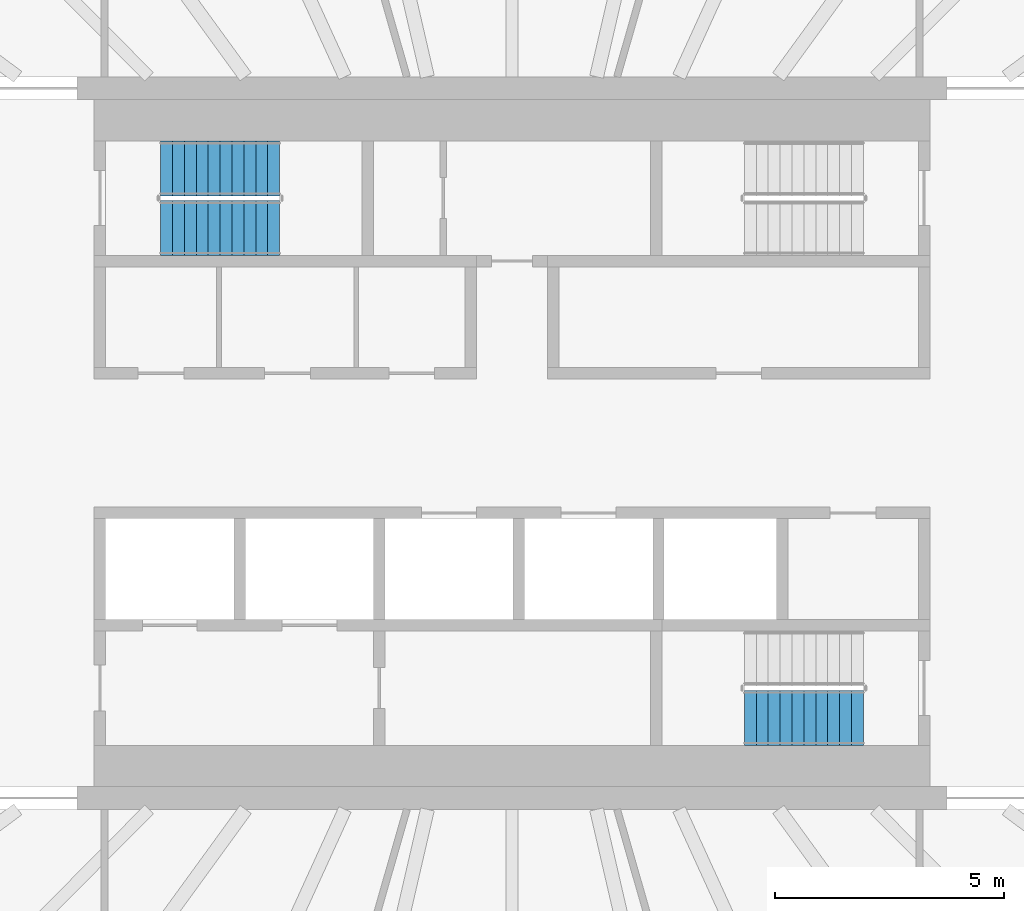
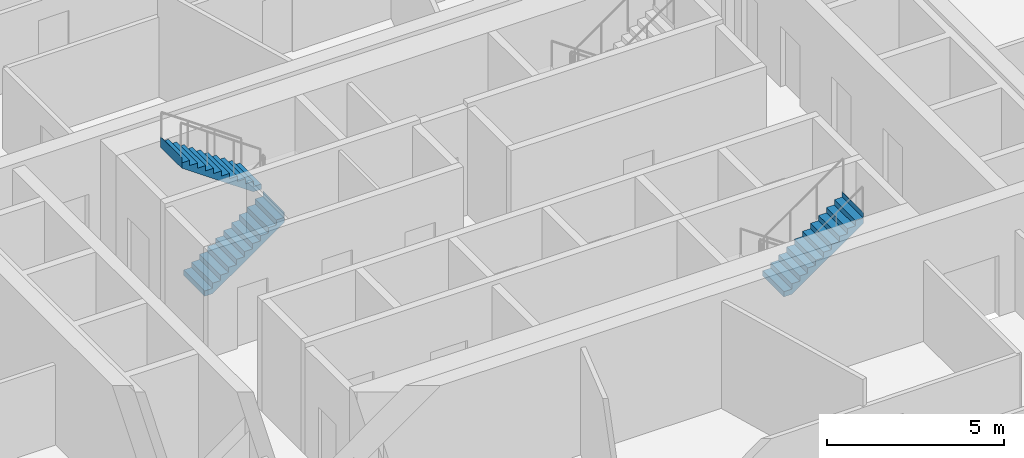
# One storey, part 16 of 23: 3 stair flights, 2 elements without a shape of their own.
"""IFC4 building model written with IfcOpenShell, lengths in metres."""

from ifc_helpers import new_model, si_unit, direction, frame, origin, place, context, subcontext, project, spatial, triangles, material, type_object, element, aggregate, save


model = new_model("IFC4")

# Units and contexts
model_context = context("Model", 3, precision=1e-05, world=origin(), true_north=direction((0.0, 1.0)))
body_context = subcontext(model_context, "Body", "Model", "MODEL_VIEW")
ifc_project = project(units=[si_unit("LENGTHUNIT", "METRE"), si_unit("AREAUNIT", "SQUARE_METRE"), si_unit("VOLUMEUNIT", "CUBIC_METRE"), si_unit("PLANEANGLEUNIT", "RADIAN"), si_unit("MASSUNIT", "GRAM", prefix="KILO")], contexts=[model_context])

# Site, building, storey
site_placement = place(None, origin())
site = spatial("IfcSite", under=ifc_project, at=site_placement, CompositionType="ELEMENT")
building_placement = place(site_placement, origin())
building = spatial("IfcBuilding", under=site, at=building_placement, Name="Sahrelin Media Tower", CompositionType="ELEMENT")
storey_placement = place(building_placement, frame((0.0, 0.0, 185.60009765625)))
storey = spatial("IfcBuildingStorey", under=building, at=storey_placement, Name="L39", CompositionType="ELEMENT", Elevation=185.60009765625)

# Stair, stair flights
ifc_material = material(Name="Concrete C40/50", Category="concrete")
stair_type = type_object("IfcStairType", Name="Exit stair 1200", PredefinedType="HALF_TURN_STAIR", material=ifc_material)
placement = place(storey_placement, origin())
stair_1 = element("IfcStair", 1, at=placement, inside=storey, type_object=stair_type, Name="L39 Exit stair ST1", PredefinedType="HALF_TURN_STAIR")
stair_flight_type = type_object("IfcStairFlightType", Name="Stair flight 1200", PredefinedType="STRAIGHT", material=ifc_material)
stair_flight_1_placement = place(storey_placement, frame((-7.675048828125, 4.699951171875, 0.0), z_axis=(0.0, 0.0, 1.0), x_axis=(1.0, 0.0, 0.0)))
stair_flight_1 = element("IfcStairFlight", 2, at=stair_flight_1_placement, type_object=stair_flight_type, Name="ST1 flight 1", NumberOfRisers=11, NumberOfTreads=10, PredefinedType="STRAIGHT", RiserHeight=0.181818182, TreadLength=0.26, context=body_context, shape_type="Tessellation", body=[
    triangles([(0.261474609375, 0.60009765625, 0.0), (0.261474609375, 0.300048828125, 0.0), (0.261474609375, 0.0, 0.0), (0.261474609375, -0.300048828125, 0.0), (0.261474609375, -0.60009765625, 0.0), (2.60009765625, 0.60009765625, 1.63525390625), (2.60009765625, 0.300048828125, 1.63525390625), (2.60009765625, 0.0, 1.63525390625), (2.60009765625, -0.300048828125, 1.63525390625), (2.60009765625, -0.60009765625, 1.63525390625), (2.60009765625, 0.60009765625, 2.0), (2.60009765625, 0.300048828125, 2.0), (2.60009765625, 0.0, 2.0), (2.60009765625, -0.300048828125, 2.0), (2.60009765625, -0.60009765625, 2.0), (2.597900390625, 0.60009765625, 2.0), (2.597900390625, 0.300048828125, 2.0), (2.597900390625, 0.0, 2.0), (2.597900390625, -0.300048828125, 2.0), (2.597900390625, -0.60009765625, 2.0), (2.597900390625, 0.60009765625, 1.818115234375), (2.597900390625, 0.300048828125, 1.818115234375), (2.597900390625, 0.0, 1.818115234375), (2.597900390625, -0.300048828125, 1.818115234375), (2.597900390625, -0.60009765625, 1.818115234375), (2.340087890625, 0.60009765625, 1.818115234375), (2.340087890625, 0.300048828125, 1.818115234375), (2.340087890625, 0.0, 1.818115234375), (2.340087890625, -0.300048828125, 1.818115234375), (2.340087890625, -0.60009765625, 1.818115234375), (2.340087890625, 0.60009765625, 1.636474609375), (2.340087890625, 0.300048828125, 1.636474609375), (2.340087890625, 0.0, 1.636474609375), (2.340087890625, -0.300048828125, 1.636474609375), (2.340087890625, -0.60009765625, 1.636474609375), (2.080078125, 0.60009765625, 1.636474609375), (2.080078125, 0.300048828125, 1.636474609375), (2.080078125, 0.0, 1.636474609375), (2.080078125, -0.300048828125, 1.636474609375), (2.080078125, -0.60009765625, 1.636474609375), (2.080078125, 0.60009765625, 1.45458984375), (2.080078125, 0.300048828125, 1.45458984375), (2.080078125, 0.0, 1.45458984375), (2.080078125, -0.300048828125, 1.45458984375), (2.080078125, -0.60009765625, 1.45458984375), (1.820068359375, 0.60009765625, 1.45458984375), (1.820068359375, 0.300048828125, 1.45458984375), (1.820068359375, 0.0, 1.45458984375), (1.820068359375, -0.300048828125, 1.45458984375), (1.820068359375, -0.60009765625, 1.45458984375), (1.820068359375, 0.60009765625, 1.272705078125), (1.820068359375, 0.300048828125, 1.272705078125), (1.820068359375, 0.0, 1.272705078125), (1.820068359375, -0.300048828125, 1.272705078125), (1.820068359375, -0.60009765625, 1.272705078125), (1.56005859375, 0.60009765625, 1.272705078125), (1.56005859375, 0.300048828125, 1.272705078125), (1.56005859375, 0.0, 1.272705078125), (1.56005859375, -0.300048828125, 1.272705078125), (1.56005859375, -0.60009765625, 1.272705078125), (1.56005859375, 0.60009765625, 1.0908203125), (1.56005859375, 0.300048828125, 1.0908203125), (1.56005859375, 0.0, 1.0908203125), (1.56005859375, -0.300048828125, 1.0908203125), (1.56005859375, -0.60009765625, 1.0908203125), (1.300048828125, 0.60009765625, 1.0908203125), (1.300048828125, 0.300048828125, 1.0908203125), (1.300048828125, 0.0, 1.0908203125), (1.300048828125, -0.300048828125, 1.0908203125), (1.300048828125, -0.60009765625, 1.0908203125), (1.300048828125, 0.60009765625, 0.9091796875), (1.300048828125, 0.300048828125, 0.9091796875), (1.300048828125, 0.0, 0.9091796875), (1.300048828125, -0.300048828125, 0.9091796875), (1.300048828125, -0.60009765625, 0.9091796875), (1.0400390625, 0.60009765625, 0.9091796875), (1.0400390625, 0.300048828125, 0.9091796875), (1.0400390625, 0.0, 0.9091796875), (1.0400390625, -0.300048828125, 0.9091796875), (1.0400390625, -0.60009765625, 0.9091796875), (1.0400390625, 0.60009765625, 0.727294921875), (1.0400390625, 0.300048828125, 0.727294921875), (1.0400390625, 0.0, 0.727294921875), (1.0400390625, -0.300048828125, 0.727294921875), (1.0400390625, -0.60009765625, 0.727294921875), (0.780029296875, 0.60009765625, 0.727294921875), (0.780029296875, 0.300048828125, 0.727294921875), (0.780029296875, 0.0, 0.727294921875), (0.780029296875, -0.300048828125, 0.727294921875), (0.780029296875, -0.60009765625, 0.727294921875), (0.780029296875, 0.60009765625, 0.54541015625), (0.780029296875, 0.300048828125, 0.54541015625), (0.780029296875, 0.0, 0.54541015625), (0.780029296875, -0.300048828125, 0.54541015625), (0.780029296875, -0.60009765625, 0.54541015625), (0.52001953125, 0.60009765625, 0.54541015625), (0.52001953125, 0.300048828125, 0.54541015625), (0.52001953125, 0.0, 0.54541015625), (0.52001953125, -0.300048828125, 0.54541015625), (0.52001953125, -0.60009765625, 0.54541015625), (0.52001953125, 0.60009765625, 0.363525390625), (0.52001953125, 0.300048828125, 0.363525390625), (0.52001953125, 0.0, 0.363525390625), (0.52001953125, -0.300048828125, 0.363525390625), (0.52001953125, -0.60009765625, 0.363525390625), (0.260009765625, 0.60009765625, 0.363525390625), (0.260009765625, 0.300048828125, 0.363525390625), (0.260009765625, 0.0, 0.363525390625), (0.260009765625, -0.300048828125, 0.363525390625), (0.260009765625, -0.60009765625, 0.363525390625), (0.260009765625, 0.60009765625, 0.181884765625), (0.260009765625, 0.300048828125, 0.181884765625), (0.260009765625, 0.0, 0.181884765625), (0.260009765625, -0.300048828125, 0.181884765625), (0.260009765625, -0.60009765625, 0.181884765625), (0.0, 0.60009765625, 0.181884765625), (0.0, 0.300048828125, 0.181884765625), (0.0, 0.0, 0.181884765625), (0.0, -0.300048828125, 0.181884765625), (0.0, -0.60009765625, 0.181884765625), (0.0, 0.60009765625, 0.0), (0.0, 0.300048828125, 0.0), (0.0, 0.0, 0.0), (0.0, -0.300048828125, 0.0), (0.0, -0.60009765625, 0.0)], [[1, 6, 7], [1, 7, 2], [2, 7, 8], [2, 8, 3], [3, 8, 9], [3, 9, 4], [4, 9, 10], [4, 10, 5], [6, 11, 12], [6, 12, 7], [7, 12, 13], [7, 13, 8], [8, 13, 14], [8, 14, 9], [9, 14, 15], [9, 15, 10], [11, 16, 17], [11, 17, 12], [12, 17, 18], [12, 18, 13], [13, 18, 19], [13, 19, 14], [14, 19, 20], [14, 20, 15], [16, 21, 22], [16, 22, 17], [17, 22, 23], [17, 23, 18], [18, 23, 24], [18, 24, 19], [19, 24, 25], [19, 25, 20], [21, 26, 27], [21, 27, 22], [22, 27, 28], [22, 28, 23], [23, 28, 29], [23, 29, 24], [24, 29, 30], [24, 30, 25], [26, 31, 32], [26, 32, 27], [27, 32, 33], [27, 33, 28], [28, 33, 34], [28, 34, 29], [29, 34, 35], [29, 35, 30], [31, 36, 37], [31, 37, 32], [32, 37, 38], [32, 38, 33], [33, 38, 39], [33, 39, 34], [34, 39, 40], [34, 40, 35], [36, 41, 42], [36, 42, 37], [37, 42, 43], [37, 43, 38], [38, 43, 44], [38, 44, 39], [39, 44, 45], [39, 45, 40], [41, 46, 47], [41, 47, 42], [42, 47, 48], [42, 48, 43], [43, 48, 49], [43, 49, 44], [44, 49, 50], [44, 50, 45], [46, 51, 52], [46, 52, 47], [47, 52, 53], [47, 53, 48], [48, 53, 54], [48, 54, 49], [49, 54, 55], [49, 55, 50], [51, 56, 57], [51, 57, 52], [52, 57, 58], [52, 58, 53], [53, 58, 59], [53, 59, 54], [54, 59, 60], [54, 60, 55], [56, 61, 62], [56, 62, 57], [57, 62, 63], [57, 63, 58], [58, 63, 64], [58, 64, 59], [59, 64, 65], [59, 65, 60], [61, 66, 67], [61, 67, 62], [62, 67, 68], [62, 68, 63], [63, 68, 69], [63, 69, 64], [64, 69, 70], [64, 70, 65], [66, 71, 72], [66, 72, 67], [67, 72, 73], [67, 73, 68], [68, 73, 74], [68, 74, 69], [69, 74, 75], [69, 75, 70], [71, 76, 77], [71, 77, 72], [72, 77, 78], [72, 78, 73], [73, 78, 79], [73, 79, 74], [74, 79, 80], [74, 80, 75], [76, 81, 82], [76, 82, 77], [77, 82, 83], [77, 83, 78], [78, 83, 84], [78, 84, 79], [79, 84, 85], [79, 85, 80], [81, 86, 87], [81, 87, 82], [82, 87, 88], [82, 88, 83], [83, 88, 89], [83, 89, 84], [84, 89, 90], [84, 90, 85], [86, 91, 92], [86, 92, 87], [87, 92, 93], [87, 93, 88], [88, 93, 94], [88, 94, 89], [89, 94, 95], [89, 95, 90], [91, 96, 97], [91, 97, 92], [92, 97, 98], [92, 98, 93], [93, 98, 99], [93, 99, 94], [94, 99, 100], [94, 100, 95], [96, 101, 102], [96, 102, 97], [97, 102, 103], [97, 103, 98], [98, 103, 104], [98, 104, 99], [99, 104, 105], [99, 105, 100], [101, 106, 107], [101, 107, 102], [102, 107, 108], [102, 108, 103], [103, 108, 109], [103, 109, 104], [104, 109, 110], [104, 110, 105], [106, 111, 112], [106, 112, 107], [107, 112, 113], [107, 113, 108], [108, 113, 114], [108, 114, 109], [109, 114, 115], [109, 115, 110], [111, 116, 117], [111, 117, 112], [112, 117, 118], [112, 118, 113], [113, 118, 119], [113, 119, 114], [114, 119, 120], [114, 120, 115], [116, 121, 122], [116, 122, 117], [117, 122, 123], [117, 123, 118], [118, 123, 124], [118, 124, 119], [119, 124, 125], [119, 125, 120], [121, 1, 2], [121, 2, 122], [122, 2, 3], [122, 3, 123], [123, 3, 4], [123, 4, 124], [124, 4, 5], [124, 5, 125], [115, 120, 125], [111, 121, 116], [115, 105, 110], [111, 106, 101], [105, 95, 100], [101, 96, 91], [95, 85, 90], [91, 86, 81], [85, 75, 80], [81, 76, 71], [75, 65, 70], [71, 66, 61], [65, 55, 60], [61, 56, 51], [55, 45, 50], [51, 46, 41], [45, 35, 40], [41, 36, 31], [35, 25, 30], [31, 26, 21], [25, 15, 20], [21, 16, 11], [125, 5, 115], [121, 111, 1], [25, 10, 15], [21, 11, 6], [105, 115, 5], [101, 1, 111], [35, 10, 25], [31, 21, 6], [95, 105, 5], [91, 1, 101], [45, 10, 35], [41, 31, 6], [85, 95, 5], [81, 1, 91], [55, 10, 45], [51, 41, 6], [75, 85, 5], [71, 1, 81], [65, 10, 55], [61, 51, 6], [5, 10, 75], [1, 71, 6], [75, 10, 65], [71, 61, 6]], closed=True),
])
stair_flight_2_placement = place(storey_placement, frame((-5.074951171875, 6.0, 2.0), z_axis=(0.0, 0.0, 1.0), x_axis=(-1.0, 0.0, 0.0)))
stair_flight_2 = element("IfcStairFlight", 3, at=stair_flight_2_placement, type_object=stair_flight_type, Name="ST1 flight 2", NumberOfRisers=11, NumberOfTreads=10, PredefinedType="STRAIGHT", RiserHeight=0.181818182, TreadLength=0.26, context=body_context, shape_type="Tessellation", body=[
    triangles([(0.261474609375, 0.60009765625, 0.0), (0.261474609375, 0.300048828125, 0.0), (0.261474609375, 0.0, 0.0), (0.261474609375, -0.300048828125, 0.0), (0.261474609375, -0.60009765625, 0.0), (2.60009765625, 0.60009765625, 1.63525390625), (2.60009765625, 0.300048828125, 1.63525390625), (2.60009765625, 0.0, 1.63525390625), (2.60009765625, -0.300048828125, 1.63525390625), (2.60009765625, -0.60009765625, 1.63525390625), (2.60009765625, 0.60009765625, 2.0), (2.60009765625, 0.300048828125, 2.0), (2.60009765625, 0.0, 2.0), (2.60009765625, -0.300048828125, 2.0), (2.60009765625, -0.60009765625, 2.0), (2.597900390625, 0.60009765625, 2.0), (2.597900390625, 0.300048828125, 2.0), (2.597900390625, 0.0, 2.0), (2.597900390625, -0.300048828125, 2.0), (2.597900390625, -0.60009765625, 2.0), (2.597900390625, 0.60009765625, 1.818115234375), (2.597900390625, 0.300048828125, 1.818115234375), (2.597900390625, 0.0, 1.818115234375), (2.597900390625, -0.300048828125, 1.818115234375), (2.597900390625, -0.60009765625, 1.818115234375), (2.340087890625, 0.60009765625, 1.818115234375), (2.340087890625, 0.300048828125, 1.818115234375), (2.340087890625, 0.0, 1.818115234375), (2.340087890625, -0.300048828125, 1.818115234375), (2.340087890625, -0.60009765625, 1.818115234375), (2.340087890625, 0.60009765625, 1.636474609375), (2.340087890625, 0.300048828125, 1.636474609375), (2.340087890625, 0.0, 1.636474609375), (2.340087890625, -0.300048828125, 1.636474609375), (2.340087890625, -0.60009765625, 1.636474609375), (2.080078125, 0.60009765625, 1.636474609375), (2.080078125, 0.300048828125, 1.636474609375), (2.080078125, 0.0, 1.636474609375), (2.080078125, -0.300048828125, 1.636474609375), (2.080078125, -0.60009765625, 1.636474609375), (2.080078125, 0.60009765625, 1.45458984375), (2.080078125, 0.300048828125, 1.45458984375), (2.080078125, 0.0, 1.45458984375), (2.080078125, -0.300048828125, 1.45458984375), (2.080078125, -0.60009765625, 1.45458984375), (1.820068359375, 0.60009765625, 1.45458984375), (1.820068359375, 0.300048828125, 1.45458984375), (1.820068359375, 0.0, 1.45458984375), (1.820068359375, -0.300048828125, 1.45458984375), (1.820068359375, -0.60009765625, 1.45458984375), (1.820068359375, 0.60009765625, 1.272705078125), (1.820068359375, 0.300048828125, 1.272705078125), (1.820068359375, 0.0, 1.272705078125), (1.820068359375, -0.300048828125, 1.272705078125), (1.820068359375, -0.60009765625, 1.272705078125), (1.56005859375, 0.60009765625, 1.272705078125), (1.56005859375, 0.300048828125, 1.272705078125), (1.56005859375, 0.0, 1.272705078125), (1.56005859375, -0.300048828125, 1.272705078125), (1.56005859375, -0.60009765625, 1.272705078125), (1.56005859375, 0.60009765625, 1.0908203125), (1.56005859375, 0.300048828125, 1.0908203125), (1.56005859375, 0.0, 1.0908203125), (1.56005859375, -0.300048828125, 1.0908203125), (1.56005859375, -0.60009765625, 1.0908203125), (1.300048828125, 0.60009765625, 1.0908203125), (1.300048828125, 0.300048828125, 1.0908203125), (1.300048828125, 0.0, 1.0908203125), (1.300048828125, -0.300048828125, 1.0908203125), (1.300048828125, -0.60009765625, 1.0908203125), (1.300048828125, 0.60009765625, 0.9091796875), (1.300048828125, 0.300048828125, 0.9091796875), (1.300048828125, 0.0, 0.9091796875), (1.300048828125, -0.300048828125, 0.9091796875), (1.300048828125, -0.60009765625, 0.9091796875), (1.0400390625, 0.60009765625, 0.9091796875), (1.0400390625, 0.300048828125, 0.9091796875), (1.0400390625, 0.0, 0.9091796875), (1.0400390625, -0.300048828125, 0.9091796875), (1.0400390625, -0.60009765625, 0.9091796875), (1.0400390625, 0.60009765625, 0.727294921875), (1.0400390625, 0.300048828125, 0.727294921875), (1.0400390625, 0.0, 0.727294921875), (1.0400390625, -0.300048828125, 0.727294921875), (1.0400390625, -0.60009765625, 0.727294921875), (0.780029296875, 0.60009765625, 0.727294921875), (0.780029296875, 0.300048828125, 0.727294921875), (0.780029296875, 0.0, 0.727294921875), (0.780029296875, -0.300048828125, 0.727294921875), (0.780029296875, -0.60009765625, 0.727294921875), (0.780029296875, 0.60009765625, 0.54541015625), (0.780029296875, 0.300048828125, 0.54541015625), (0.780029296875, 0.0, 0.54541015625), (0.780029296875, -0.300048828125, 0.54541015625), (0.780029296875, -0.60009765625, 0.54541015625), (0.52001953125, 0.60009765625, 0.54541015625), (0.52001953125, 0.300048828125, 0.54541015625), (0.52001953125, 0.0, 0.54541015625), (0.52001953125, -0.300048828125, 0.54541015625), (0.52001953125, -0.60009765625, 0.54541015625), (0.52001953125, 0.60009765625, 0.363525390625), (0.52001953125, 0.300048828125, 0.363525390625), (0.52001953125, 0.0, 0.363525390625), (0.52001953125, -0.300048828125, 0.363525390625), (0.52001953125, -0.60009765625, 0.363525390625), (0.260009765625, 0.60009765625, 0.363525390625), (0.260009765625, 0.300048828125, 0.363525390625), (0.260009765625, 0.0, 0.363525390625), (0.260009765625, -0.300048828125, 0.363525390625), (0.260009765625, -0.60009765625, 0.363525390625), (0.260009765625, 0.60009765625, 0.181884765625), (0.260009765625, 0.300048828125, 0.181884765625), (0.260009765625, 0.0, 0.181884765625), (0.260009765625, -0.300048828125, 0.181884765625), (0.260009765625, -0.60009765625, 0.181884765625), (0.0, 0.60009765625, 0.181884765625), (0.0, 0.300048828125, 0.181884765625), (0.0, 0.0, 0.181884765625), (0.0, -0.300048828125, 0.181884765625), (0.0, -0.60009765625, 0.181884765625), (0.0, 0.60009765625, 0.0), (0.0, 0.300048828125, 0.0), (0.0, 0.0, 0.0), (0.0, -0.300048828125, 0.0), (0.0, -0.60009765625, 0.0)], [[1, 6, 7], [1, 7, 2], [2, 7, 8], [2, 8, 3], [3, 8, 9], [3, 9, 4], [4, 9, 10], [4, 10, 5], [6, 11, 12], [6, 12, 7], [7, 12, 13], [7, 13, 8], [8, 13, 14], [8, 14, 9], [9, 14, 15], [9, 15, 10], [11, 16, 17], [11, 17, 12], [12, 17, 18], [12, 18, 13], [13, 18, 19], [13, 19, 14], [14, 19, 20], [14, 20, 15], [16, 21, 22], [16, 22, 17], [17, 22, 23], [17, 23, 18], [18, 23, 24], [18, 24, 19], [19, 24, 25], [19, 25, 20], [21, 26, 27], [21, 27, 22], [22, 27, 28], [22, 28, 23], [23, 28, 29], [23, 29, 24], [24, 29, 30], [24, 30, 25], [26, 31, 32], [26, 32, 27], [27, 32, 33], [27, 33, 28], [28, 33, 34], [28, 34, 29], [29, 34, 35], [29, 35, 30], [31, 36, 37], [31, 37, 32], [32, 37, 38], [32, 38, 33], [33, 38, 39], [33, 39, 34], [34, 39, 40], [34, 40, 35], [36, 41, 42], [36, 42, 37], [37, 42, 43], [37, 43, 38], [38, 43, 44], [38, 44, 39], [39, 44, 45], [39, 45, 40], [41, 46, 47], [41, 47, 42], [42, 47, 48], [42, 48, 43], [43, 48, 49], [43, 49, 44], [44, 49, 50], [44, 50, 45], [46, 51, 52], [46, 52, 47], [47, 52, 53], [47, 53, 48], [48, 53, 54], [48, 54, 49], [49, 54, 55], [49, 55, 50], [51, 56, 57], [51, 57, 52], [52, 57, 58], [52, 58, 53], [53, 58, 59], [53, 59, 54], [54, 59, 60], [54, 60, 55], [56, 61, 62], [56, 62, 57], [57, 62, 63], [57, 63, 58], [58, 63, 64], [58, 64, 59], [59, 64, 65], [59, 65, 60], [61, 66, 67], [61, 67, 62], [62, 67, 68], [62, 68, 63], [63, 68, 69], [63, 69, 64], [64, 69, 70], [64, 70, 65], [66, 71, 72], [66, 72, 67], [67, 72, 73], [67, 73, 68], [68, 73, 74], [68, 74, 69], [69, 74, 75], [69, 75, 70], [71, 76, 77], [71, 77, 72], [72, 77, 78], [72, 78, 73], [73, 78, 79], [73, 79, 74], [74, 79, 80], [74, 80, 75], [76, 81, 82], [76, 82, 77], [77, 82, 83], [77, 83, 78], [78, 83, 84], [78, 84, 79], [79, 84, 85], [79, 85, 80], [81, 86, 87], [81, 87, 82], [82, 87, 88], [82, 88, 83], [83, 88, 89], [83, 89, 84], [84, 89, 90], [84, 90, 85], [86, 91, 92], [86, 92, 87], [87, 92, 93], [87, 93, 88], [88, 93, 94], [88, 94, 89], [89, 94, 95], [89, 95, 90], [91, 96, 97], [91, 97, 92], [92, 97, 98], [92, 98, 93], [93, 98, 99], [93, 99, 94], [94, 99, 100], [94, 100, 95], [96, 101, 102], [96, 102, 97], [97, 102, 103], [97, 103, 98], [98, 103, 104], [98, 104, 99], [99, 104, 105], [99, 105, 100], [101, 106, 107], [101, 107, 102], [102, 107, 108], [102, 108, 103], [103, 108, 109], [103, 109, 104], [104, 109, 110], [104, 110, 105], [106, 111, 112], [106, 112, 107], [107, 112, 113], [107, 113, 108], [108, 113, 114], [108, 114, 109], [109, 114, 115], [109, 115, 110], [111, 116, 117], [111, 117, 112], [112, 117, 118], [112, 118, 113], [113, 118, 119], [113, 119, 114], [114, 119, 120], [114, 120, 115], [116, 121, 122], [116, 122, 117], [117, 122, 123], [117, 123, 118], [118, 123, 124], [118, 124, 119], [119, 124, 125], [119, 125, 120], [121, 1, 2], [121, 2, 122], [122, 2, 3], [122, 3, 123], [123, 3, 4], [123, 4, 124], [124, 4, 5], [124, 5, 125], [115, 120, 125], [111, 121, 116], [115, 105, 110], [111, 106, 101], [105, 95, 100], [101, 96, 91], [95, 85, 90], [91, 86, 81], [85, 75, 80], [81, 76, 71], [75, 65, 70], [71, 66, 61], [65, 55, 60], [61, 56, 51], [55, 45, 50], [51, 46, 41], [45, 35, 40], [41, 36, 31], [35, 25, 30], [31, 26, 21], [25, 15, 20], [21, 16, 11], [125, 5, 115], [121, 111, 1], [25, 10, 15], [21, 11, 6], [105, 115, 5], [101, 1, 111], [35, 10, 25], [31, 21, 6], [95, 105, 5], [91, 1, 101], [45, 10, 35], [41, 31, 6], [85, 95, 5], [81, 1, 91], [55, 10, 45], [51, 41, 6], [75, 85, 5], [71, 1, 81], [65, 10, 55], [61, 51, 6], [5, 10, 75], [1, 71, 6], [75, 10, 65], [71, 61, 6]], closed=True),
])
aggregate(stair_1, [stair_flight_1, stair_flight_2])

# Stair, stair flight
stair_2 = element("IfcStair", 4, at=placement, inside=storey, type_object=stair_type, Name="L39 Exit stair ST2", PredefinedType="HALF_TURN_STAIR")
stair_flight_3_placement = place(storey_placement, frame((5.074951171875, -6.0, 2.0), z_axis=(0.0, 0.0, 1.0), x_axis=(1.0, 0.0, 0.0)))
stair_flight_3 = element("IfcStairFlight", 5, at=stair_flight_3_placement, type_object=stair_flight_type, Name="ST2 flight 2", NumberOfRisers=11, NumberOfTreads=10, PredefinedType="STRAIGHT", RiserHeight=0.181818182, TreadLength=0.26, context=body_context, shape_type="Tessellation", body=[
    triangles([(0.261474609375, 0.60009765625, 0.0), (0.261474609375, 0.300048828125, 0.0), (0.261474609375, 0.0, 0.0), (0.261474609375, -0.300048828125, 0.0), (0.261474609375, -0.60009765625, 0.0), (2.60009765625, 0.60009765625, 1.63525390625), (2.60009765625, 0.300048828125, 1.63525390625), (2.60009765625, 0.0, 1.63525390625), (2.60009765625, -0.300048828125, 1.63525390625), (2.60009765625, -0.60009765625, 1.63525390625), (2.60009765625, 0.60009765625, 2.0), (2.60009765625, 0.300048828125, 2.0), (2.60009765625, 0.0, 2.0), (2.60009765625, -0.300048828125, 2.0), (2.60009765625, -0.60009765625, 2.0), (2.597900390625, 0.60009765625, 2.0), (2.597900390625, 0.300048828125, 2.0), (2.597900390625, 0.0, 2.0), (2.597900390625, -0.300048828125, 2.0), (2.597900390625, -0.60009765625, 2.0), (2.597900390625, 0.60009765625, 1.818115234375), (2.597900390625, 0.300048828125, 1.818115234375), (2.597900390625, 0.0, 1.818115234375), (2.597900390625, -0.300048828125, 1.818115234375), (2.597900390625, -0.60009765625, 1.818115234375), (2.340087890625, 0.60009765625, 1.818115234375), (2.340087890625, 0.300048828125, 1.818115234375), (2.340087890625, 0.0, 1.818115234375), (2.340087890625, -0.300048828125, 1.818115234375), (2.340087890625, -0.60009765625, 1.818115234375), (2.340087890625, 0.60009765625, 1.636474609375), (2.340087890625, 0.300048828125, 1.636474609375), (2.340087890625, 0.0, 1.636474609375), (2.340087890625, -0.300048828125, 1.636474609375), (2.340087890625, -0.60009765625, 1.636474609375), (2.080078125, 0.60009765625, 1.636474609375), (2.080078125, 0.300048828125, 1.636474609375), (2.080078125, 0.0, 1.636474609375), (2.080078125, -0.300048828125, 1.636474609375), (2.080078125, -0.60009765625, 1.636474609375), (2.080078125, 0.60009765625, 1.45458984375), (2.080078125, 0.300048828125, 1.45458984375), (2.080078125, 0.0, 1.45458984375), (2.080078125, -0.300048828125, 1.45458984375), (2.080078125, -0.60009765625, 1.45458984375), (1.820068359375, 0.60009765625, 1.45458984375), (1.820068359375, 0.300048828125, 1.45458984375), (1.820068359375, 0.0, 1.45458984375), (1.820068359375, -0.300048828125, 1.45458984375), (1.820068359375, -0.60009765625, 1.45458984375), (1.820068359375, 0.60009765625, 1.272705078125), (1.820068359375, 0.300048828125, 1.272705078125), (1.820068359375, 0.0, 1.272705078125), (1.820068359375, -0.300048828125, 1.272705078125), (1.820068359375, -0.60009765625, 1.272705078125), (1.56005859375, 0.60009765625, 1.272705078125), (1.56005859375, 0.300048828125, 1.272705078125), (1.56005859375, 0.0, 1.272705078125), (1.56005859375, -0.300048828125, 1.272705078125), (1.56005859375, -0.60009765625, 1.272705078125), (1.56005859375, 0.60009765625, 1.0908203125), (1.56005859375, 0.300048828125, 1.0908203125), (1.56005859375, 0.0, 1.0908203125), (1.56005859375, -0.300048828125, 1.0908203125), (1.56005859375, -0.60009765625, 1.0908203125), (1.300048828125, 0.60009765625, 1.0908203125), (1.300048828125, 0.300048828125, 1.0908203125), (1.300048828125, 0.0, 1.0908203125), (1.300048828125, -0.300048828125, 1.0908203125), (1.300048828125, -0.60009765625, 1.0908203125), (1.300048828125, 0.60009765625, 0.9091796875), (1.300048828125, 0.300048828125, 0.9091796875), (1.300048828125, 0.0, 0.9091796875), (1.300048828125, -0.300048828125, 0.9091796875), (1.300048828125, -0.60009765625, 0.9091796875), (1.0400390625, 0.60009765625, 0.9091796875), (1.0400390625, 0.300048828125, 0.9091796875), (1.0400390625, 0.0, 0.9091796875), (1.0400390625, -0.300048828125, 0.9091796875), (1.0400390625, -0.60009765625, 0.9091796875), (1.0400390625, 0.60009765625, 0.727294921875), (1.0400390625, 0.300048828125, 0.727294921875), (1.0400390625, 0.0, 0.727294921875), (1.0400390625, -0.300048828125, 0.727294921875), (1.0400390625, -0.60009765625, 0.727294921875), (0.780029296875, 0.60009765625, 0.727294921875), (0.780029296875, 0.300048828125, 0.727294921875), (0.780029296875, 0.0, 0.727294921875), (0.780029296875, -0.300048828125, 0.727294921875), (0.780029296875, -0.60009765625, 0.727294921875), (0.780029296875, 0.60009765625, 0.54541015625), (0.780029296875, 0.300048828125, 0.54541015625), (0.780029296875, 0.0, 0.54541015625), (0.780029296875, -0.300048828125, 0.54541015625), (0.780029296875, -0.60009765625, 0.54541015625), (0.52001953125, 0.60009765625, 0.54541015625), (0.52001953125, 0.300048828125, 0.54541015625), (0.52001953125, 0.0, 0.54541015625), (0.52001953125, -0.300048828125, 0.54541015625), (0.52001953125, -0.60009765625, 0.54541015625), (0.52001953125, 0.60009765625, 0.363525390625), (0.52001953125, 0.300048828125, 0.363525390625), (0.52001953125, 0.0, 0.363525390625), (0.52001953125, -0.300048828125, 0.363525390625), (0.52001953125, -0.60009765625, 0.363525390625), (0.260009765625, 0.60009765625, 0.363525390625), (0.260009765625, 0.300048828125, 0.363525390625), (0.260009765625, 0.0, 0.363525390625), (0.260009765625, -0.300048828125, 0.363525390625), (0.260009765625, -0.60009765625, 0.363525390625), (0.260009765625, 0.60009765625, 0.181884765625), (0.260009765625, 0.300048828125, 0.181884765625), (0.260009765625, 0.0, 0.181884765625), (0.260009765625, -0.300048828125, 0.181884765625), (0.260009765625, -0.60009765625, 0.181884765625), (0.0, 0.60009765625, 0.181884765625), (0.0, 0.300048828125, 0.181884765625), (0.0, 0.0, 0.181884765625), (0.0, -0.300048828125, 0.181884765625), (0.0, -0.60009765625, 0.181884765625), (0.0, 0.60009765625, 0.0), (0.0, 0.300048828125, 0.0), (0.0, 0.0, 0.0), (0.0, -0.300048828125, 0.0), (0.0, -0.60009765625, 0.0)], [[1, 6, 7], [1, 7, 2], [2, 7, 8], [2, 8, 3], [3, 8, 9], [3, 9, 4], [4, 9, 10], [4, 10, 5], [6, 11, 12], [6, 12, 7], [7, 12, 13], [7, 13, 8], [8, 13, 14], [8, 14, 9], [9, 14, 15], [9, 15, 10], [11, 16, 17], [11, 17, 12], [12, 17, 18], [12, 18, 13], [13, 18, 19], [13, 19, 14], [14, 19, 20], [14, 20, 15], [16, 21, 22], [16, 22, 17], [17, 22, 23], [17, 23, 18], [18, 23, 24], [18, 24, 19], [19, 24, 25], [19, 25, 20], [21, 26, 27], [21, 27, 22], [22, 27, 28], [22, 28, 23], [23, 28, 29], [23, 29, 24], [24, 29, 30], [24, 30, 25], [26, 31, 32], [26, 32, 27], [27, 32, 33], [27, 33, 28], [28, 33, 34], [28, 34, 29], [29, 34, 35], [29, 35, 30], [31, 36, 37], [31, 37, 32], [32, 37, 38], [32, 38, 33], [33, 38, 39], [33, 39, 34], [34, 39, 40], [34, 40, 35], [36, 41, 42], [36, 42, 37], [37, 42, 43], [37, 43, 38], [38, 43, 44], [38, 44, 39], [39, 44, 45], [39, 45, 40], [41, 46, 47], [41, 47, 42], [42, 47, 48], [42, 48, 43], [43, 48, 49], [43, 49, 44], [44, 49, 50], [44, 50, 45], [46, 51, 52], [46, 52, 47], [47, 52, 53], [47, 53, 48], [48, 53, 54], [48, 54, 49], [49, 54, 55], [49, 55, 50], [51, 56, 57], [51, 57, 52], [52, 57, 58], [52, 58, 53], [53, 58, 59], [53, 59, 54], [54, 59, 60], [54, 60, 55], [56, 61, 62], [56, 62, 57], [57, 62, 63], [57, 63, 58], [58, 63, 64], [58, 64, 59], [59, 64, 65], [59, 65, 60], [61, 66, 67], [61, 67, 62], [62, 67, 68], [62, 68, 63], [63, 68, 69], [63, 69, 64], [64, 69, 70], [64, 70, 65], [66, 71, 72], [66, 72, 67], [67, 72, 73], [67, 73, 68], [68, 73, 74], [68, 74, 69], [69, 74, 75], [69, 75, 70], [71, 76, 77], [71, 77, 72], [72, 77, 78], [72, 78, 73], [73, 78, 79], [73, 79, 74], [74, 79, 80], [74, 80, 75], [76, 81, 82], [76, 82, 77], [77, 82, 83], [77, 83, 78], [78, 83, 84], [78, 84, 79], [79, 84, 85], [79, 85, 80], [81, 86, 87], [81, 87, 82], [82, 87, 88], [82, 88, 83], [83, 88, 89], [83, 89, 84], [84, 89, 90], [84, 90, 85], [86, 91, 92], [86, 92, 87], [87, 92, 93], [87, 93, 88], [88, 93, 94], [88, 94, 89], [89, 94, 95], [89, 95, 90], [91, 96, 97], [91, 97, 92], [92, 97, 98], [92, 98, 93], [93, 98, 99], [93, 99, 94], [94, 99, 100], [94, 100, 95], [96, 101, 102], [96, 102, 97], [97, 102, 103], [97, 103, 98], [98, 103, 104], [98, 104, 99], [99, 104, 105], [99, 105, 100], [101, 106, 107], [101, 107, 102], [102, 107, 108], [102, 108, 103], [103, 108, 109], [103, 109, 104], [104, 109, 110], [104, 110, 105], [106, 111, 112], [106, 112, 107], [107, 112, 113], [107, 113, 108], [108, 113, 114], [108, 114, 109], [109, 114, 115], [109, 115, 110], [111, 116, 117], [111, 117, 112], [112, 117, 118], [112, 118, 113], [113, 118, 119], [113, 119, 114], [114, 119, 120], [114, 120, 115], [116, 121, 122], [116, 122, 117], [117, 122, 123], [117, 123, 118], [118, 123, 124], [118, 124, 119], [119, 124, 125], [119, 125, 120], [121, 1, 2], [121, 2, 122], [122, 2, 3], [122, 3, 123], [123, 3, 4], [123, 4, 124], [124, 4, 5], [124, 5, 125], [115, 120, 125], [111, 121, 116], [115, 105, 110], [111, 106, 101], [105, 95, 100], [101, 96, 91], [95, 85, 90], [91, 86, 81], [85, 75, 80], [81, 76, 71], [75, 65, 70], [71, 66, 61], [65, 55, 60], [61, 56, 51], [55, 45, 50], [51, 46, 41], [45, 35, 40], [41, 36, 31], [35, 25, 30], [31, 26, 21], [25, 15, 20], [21, 16, 11], [125, 5, 115], [121, 111, 1], [25, 10, 15], [21, 11, 6], [105, 115, 5], [101, 1, 111], [35, 10, 25], [31, 21, 6], [95, 105, 5], [91, 1, 101], [45, 10, 35], [41, 31, 6], [85, 95, 5], [81, 1, 91], [55, 10, 45], [51, 41, 6], [75, 85, 5], [71, 1, 81], [65, 10, 55], [61, 51, 6], [5, 10, 75], [1, 71, 6], [75, 10, 65], [71, 61, 6]], closed=True),
])
aggregate(stair_2, [stair_flight_3])

save(model, "model.ifc")
